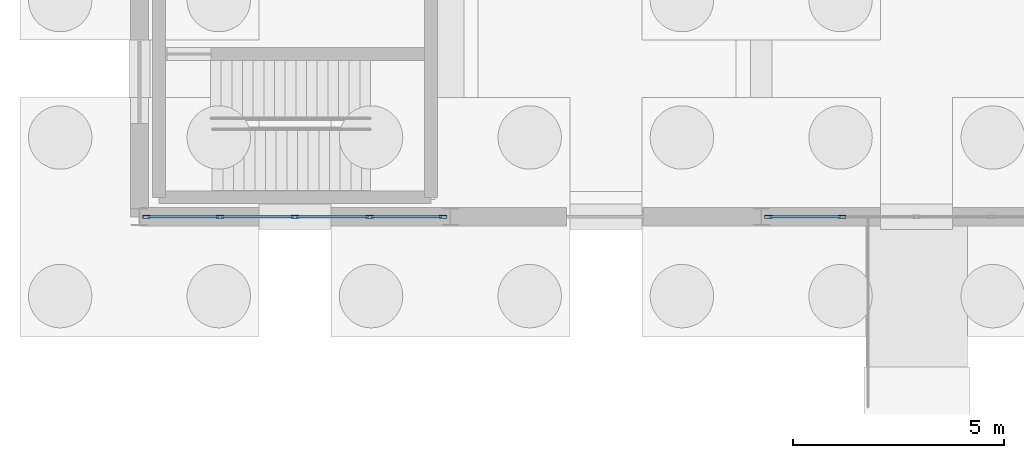
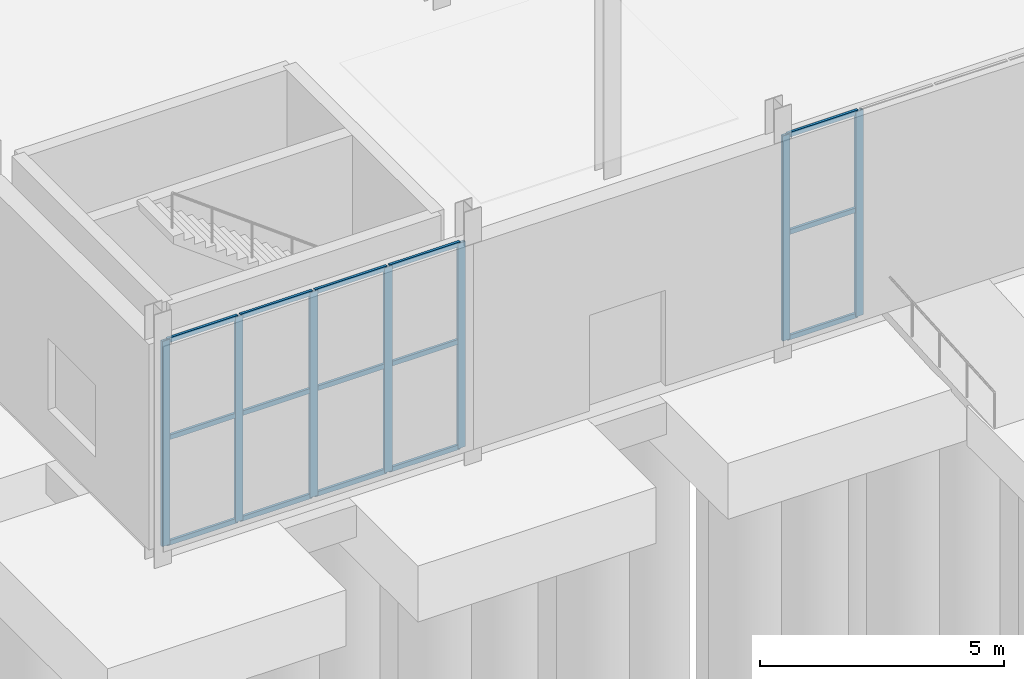
# One storey, part 53 of 139: 22 members, 2 elements without a shape of their own.
"""IFC4 building model written with IfcOpenShell, lengths in metres."""

from ifc_helpers import new_model, si_unit, direction, frame, origin, origin_2d, place, context, subcontext, project, spatial, hollow_rectangle, extrude, material, material_profile, profile_set, type_object, element, aggregate, save


model = new_model("IFC4")

# Units and contexts
model_context = context("Model", 3, precision=1e-05, world=origin(), true_north=direction((0.0, 1.0)))
body_context = subcontext(model_context, "Body", "Model", "MODEL_VIEW")
ifc_project = project(units=[si_unit("LENGTHUNIT", "METRE"), si_unit("AREAUNIT", "SQUARE_METRE"), si_unit("VOLUMEUNIT", "CUBIC_METRE"), si_unit("PLANEANGLEUNIT", "RADIAN"), si_unit("MASSUNIT", "GRAM", prefix="KILO")], contexts=[model_context])

# Site, building, storey
site_placement = place(None, origin())
site = spatial("IfcSite", under=ifc_project, at=site_placement, CompositionType="ELEMENT")
building_placement = place(site_placement, origin())
building = spatial("IfcBuilding", under=site, at=building_placement, Name="Kazenagashi Tramway Depot", CompositionType="ELEMENT")
storey_placement = place(building_placement, origin())
storey = spatial("IfcBuildingStorey", under=building, at=storey_placement, Name="L01", CompositionType="ELEMENT", Elevation=0.0)

# Curtain wall, members
ifc_material_1 = material(Name="Anodised Aluminium and Low-E Glazing", Category="aluminium")
curtain_wall_type = type_object("IfcCurtainWallType", Name="CW-24", PredefinedType="USERDEFINED", material=ifc_material_1)
curtain_wall_1_placement = place(storey_placement, origin())
curtain_wall_1 = element("IfcCurtainWall", 1, at=curtain_wall_1_placement, inside=storey, type_object=curtain_wall_type, Name="Industrial Glazed Screen CW-24 CW-0134", ObjectType="GLAZED SCREEN", PredefinedType="USERDEFINED")
ifc_material_2 = material(Name="Anodised Aluminium", Category="aluminium")
ifc_material_profile_1 = material_profile(ifc_material_2, hollow_rectangle(XDim=0.07, YDim=0.18, WallThickness=0.005, at=origin_2d()), Name="RHS-180x70x5")
ifc_profile_set_1 = profile_set([ifc_material_profile_1], Name="Anodised Aluminium")
member_type_1 = type_object("IfcMemberType", Name="ML-02", PredefinedType="MULLION", material=ifc_profile_set_1)
member_1_placement = place(storey_placement, frame((0.17, 0.0, 0.0), z_axis=(0.0, 0.0, 1.0), x_axis=(0.0, 1.0, 0.0)))
member_1 = element("IfcMember", 2, at=member_1_placement, type_object=member_type_1, Name="CW-24 mullion 1", PredefinedType="MULLION", context=body_context, shape_type="SweptSolid", body=[
    extrude(hollow_rectangle(XDim=0.07, YDim=0.18, WallThickness=0.005, at=origin_2d()), origin(), (0.0, 0.0, 1.0), 5.14),
])
member_2_placement = place(storey_placement, frame((1.9075, 0.0, 0.0), z_axis=(0.0, 0.0, 1.0), x_axis=(0.0, 1.0, 0.0)))
member_2 = element("IfcMember", 3, at=member_2_placement, type_object=member_type_1, Name="CW-24 mullion 2", PredefinedType="MULLION", context=body_context, shape_type="SweptSolid", body=[
    extrude(hollow_rectangle(XDim=0.07, YDim=0.18, WallThickness=0.005, at=origin_2d()), origin(), (0.0, 0.0, 1.0), 5.14),
])
member_3_placement = place(storey_placement, frame((3.675, 0.0, 0.0), z_axis=(0.0, 0.0, 1.0), x_axis=(0.0, 1.0, 0.0)))
member_3 = element("IfcMember", 4, at=member_3_placement, type_object=member_type_1, Name="CW-24 mullion 3", PredefinedType="MULLION", context=body_context, shape_type="SweptSolid", body=[
    extrude(hollow_rectangle(XDim=0.07, YDim=0.18, WallThickness=0.005, at=origin_2d()), origin(), (0.0, 0.0, 1.0), 5.14),
])
member_4_placement = place(storey_placement, frame((5.4425, 0.0, 0.0), z_axis=(0.0, 0.0, 1.0), x_axis=(0.0, 1.0, 0.0)))
member_4 = element("IfcMember", 5, at=member_4_placement, type_object=member_type_1, Name="CW-24 mullion 4", PredefinedType="MULLION", context=body_context, shape_type="SweptSolid", body=[
    extrude(hollow_rectangle(XDim=0.07, YDim=0.18, WallThickness=0.005, at=origin_2d()), origin(), (0.0, 0.0, 1.0), 5.14),
])
member_5_placement = place(storey_placement, frame((7.18, 0.0, 0.0), z_axis=(0.0, 0.0, 1.0), x_axis=(0.0, 1.0, 0.0)))
member_5 = element("IfcMember", 6, at=member_5_placement, type_object=member_type_1, Name="CW-24 mullion 5", PredefinedType="MULLION", context=body_context, shape_type="SweptSolid", body=[
    extrude(hollow_rectangle(XDim=0.07, YDim=0.18, WallThickness=0.005, at=origin_2d()), origin(), (0.0, 0.0, 1.0), 5.14),
])

curtain_wall_2_placement = place(storey_placement, origin())
curtain_wall_2 = element("IfcCurtainWall", 7, at=curtain_wall_2_placement, inside=storey, type_object=curtain_wall_type, Name="Industrial Glazed Screen CW-24 CW-0137", ObjectType="GLAZED SCREEN", PredefinedType="USERDEFINED")
member_6_placement = place(storey_placement, frame((14.87, 0.0, 0.0), z_axis=(0.0, 0.0, 1.0), x_axis=(0.0, 1.0, 0.0)))
member_6 = element("IfcMember", 8, at=member_6_placement, type_object=member_type_1, Name="CW-24 mullion 1", PredefinedType="MULLION", context=body_context, shape_type="SweptSolid", body=[
    extrude(hollow_rectangle(XDim=0.07, YDim=0.18, WallThickness=0.005, at=origin_2d()), origin(), (0.0, 0.0, 1.0), 5.14),
])
member_7_placement = place(storey_placement, frame((16.6075, 0.0, 0.0), z_axis=(0.0, 0.0, 1.0), x_axis=(0.0, 1.0, 0.0)))
member_7 = element("IfcMember", 9, at=member_7_placement, type_object=member_type_1, Name="CW-24 mullion 2", PredefinedType="MULLION", context=body_context, shape_type="SweptSolid", body=[
    extrude(hollow_rectangle(XDim=0.07, YDim=0.18, WallThickness=0.005, at=origin_2d()), origin(), (0.0, 0.0, 1.0), 5.14),
])

# Member
ifc_material_profile_2 = material_profile(ifc_material_2, hollow_rectangle(XDim=0.06, YDim=0.12, WallThickness=0.004, at=origin_2d()), Name="RHS-120x60x4")
ifc_profile_set_2 = profile_set([ifc_material_profile_2], Name="Anodised Aluminium")
member_type_2 = type_object("IfcMemberType", Name="TR-01", PredefinedType="USERDEFINED", material=ifc_profile_set_2)
member_8_placement = place(storey_placement, frame((0.2, 0.0, 0.03), z_axis=(1.0, 0.0, 0.0), x_axis=(0.0, 1.0, 0.0)))
member_8 = element("IfcMember", 10, at=member_8_placement, type_object=member_type_2, Name="CW-24 transom 1.1", ObjectType="TRANSOM", PredefinedType="USERDEFINED", context=body_context, shape_type="SweptSolid", body=[
    extrude(hollow_rectangle(XDim=0.06, YDim=0.12, WallThickness=0.004, at=origin_2d()), origin(), (0.0, 0.0, 1.0), 1.6775),
])

member_9_placement = place(storey_placement, frame((0.2, 0.0, 2.673), z_axis=(1.0, 0.0, 0.0), x_axis=(0.0, 1.0, 0.0)))
member_9 = element("IfcMember", 11, at=member_9_placement, type_object=member_type_2, Name="CW-24 transom 1.2", ObjectType="TRANSOM", PredefinedType="USERDEFINED", context=body_context, shape_type="SweptSolid", body=[
    extrude(hollow_rectangle(XDim=0.06, YDim=0.12, WallThickness=0.004, at=origin_2d()), origin(), (0.0, 0.0, 1.0), 1.6775),
])

member_10_placement = place(storey_placement, frame((0.2, 0.0, 5.11), z_axis=(1.0, 0.0, 0.0), x_axis=(0.0, 1.0, 0.0)))
member_10 = element("IfcMember", 12, at=member_10_placement, type_object=member_type_2, Name="CW-24 transom 1.3", ObjectType="TRANSOM", PredefinedType="USERDEFINED", context=body_context, shape_type="SweptSolid", body=[
    extrude(hollow_rectangle(XDim=0.06, YDim=0.12, WallThickness=0.004, at=origin_2d()), origin(), (0.0, 0.0, 1.0), 1.6775),
])

member_11_placement = place(storey_placement, frame((1.9375, 0.0, 0.03), z_axis=(1.0, 0.0, 0.0), x_axis=(0.0, 1.0, 0.0)))
member_11 = element("IfcMember", 13, at=member_11_placement, type_object=member_type_2, Name="CW-24 transom 2.1", ObjectType="TRANSOM", PredefinedType="USERDEFINED", context=body_context, shape_type="SweptSolid", body=[
    extrude(hollow_rectangle(XDim=0.06, YDim=0.12, WallThickness=0.004, at=origin_2d()), origin(), (0.0, 0.0, 1.0), 1.7075),
])

member_12_placement = place(storey_placement, frame((1.9375, 0.0, 2.673), z_axis=(1.0, 0.0, 0.0), x_axis=(0.0, 1.0, 0.0)))
member_12 = element("IfcMember", 14, at=member_12_placement, type_object=member_type_2, Name="CW-24 transom 2.2", ObjectType="TRANSOM", PredefinedType="USERDEFINED", context=body_context, shape_type="SweptSolid", body=[
    extrude(hollow_rectangle(XDim=0.06, YDim=0.12, WallThickness=0.004, at=origin_2d()), origin(), (0.0, 0.0, 1.0), 1.7075),
])

member_13_placement = place(storey_placement, frame((1.9375, 0.0, 5.11), z_axis=(1.0, 0.0, 0.0), x_axis=(0.0, 1.0, 0.0)))
member_13 = element("IfcMember", 15, at=member_13_placement, type_object=member_type_2, Name="CW-24 transom 2.3", ObjectType="TRANSOM", PredefinedType="USERDEFINED", context=body_context, shape_type="SweptSolid", body=[
    extrude(hollow_rectangle(XDim=0.06, YDim=0.12, WallThickness=0.004, at=origin_2d()), origin(), (0.0, 0.0, 1.0), 1.7075),
])

member_14_placement = place(storey_placement, frame((3.705, 0.0, 0.03), z_axis=(1.0, 0.0, 0.0), x_axis=(0.0, 1.0, 0.0)))
member_14 = element("IfcMember", 16, at=member_14_placement, type_object=member_type_2, Name="CW-24 transom 3.1", ObjectType="TRANSOM", PredefinedType="USERDEFINED", context=body_context, shape_type="SweptSolid", body=[
    extrude(hollow_rectangle(XDim=0.06, YDim=0.12, WallThickness=0.004, at=origin_2d()), origin(), (0.0, 0.0, 1.0), 1.7075),
])

member_15_placement = place(storey_placement, frame((3.705, 0.0, 2.673), z_axis=(1.0, 0.0, 0.0), x_axis=(0.0, 1.0, 0.0)))
member_15 = element("IfcMember", 17, at=member_15_placement, type_object=member_type_2, Name="CW-24 transom 3.2", ObjectType="TRANSOM", PredefinedType="USERDEFINED", context=body_context, shape_type="SweptSolid", body=[
    extrude(hollow_rectangle(XDim=0.06, YDim=0.12, WallThickness=0.004, at=origin_2d()), origin(), (0.0, 0.0, 1.0), 1.7075),
])

member_16_placement = place(storey_placement, frame((3.705, 0.0, 5.11), z_axis=(1.0, 0.0, 0.0), x_axis=(0.0, 1.0, 0.0)))
member_16 = element("IfcMember", 18, at=member_16_placement, type_object=member_type_2, Name="CW-24 transom 3.3", ObjectType="TRANSOM", PredefinedType="USERDEFINED", context=body_context, shape_type="SweptSolid", body=[
    extrude(hollow_rectangle(XDim=0.06, YDim=0.12, WallThickness=0.004, at=origin_2d()), origin(), (0.0, 0.0, 1.0), 1.7075),
])

member_17_placement = place(storey_placement, frame((5.4725, 0.0, 0.03), z_axis=(1.0, 0.0, 0.0), x_axis=(0.0, 1.0, 0.0)))
member_17 = element("IfcMember", 19, at=member_17_placement, type_object=member_type_2, Name="CW-24 transom 4.1", ObjectType="TRANSOM", PredefinedType="USERDEFINED", context=body_context, shape_type="SweptSolid", body=[
    extrude(hollow_rectangle(XDim=0.06, YDim=0.12, WallThickness=0.004, at=origin_2d()), origin(), (0.0, 0.0, 1.0), 1.6775),
])

member_18_placement = place(storey_placement, frame((5.4725, 0.0, 2.673), z_axis=(1.0, 0.0, 0.0), x_axis=(0.0, 1.0, 0.0)))
member_18 = element("IfcMember", 20, at=member_18_placement, type_object=member_type_2, Name="CW-24 transom 4.2", ObjectType="TRANSOM", PredefinedType="USERDEFINED", context=body_context, shape_type="SweptSolid", body=[
    extrude(hollow_rectangle(XDim=0.06, YDim=0.12, WallThickness=0.004, at=origin_2d()), origin(), (0.0, 0.0, 1.0), 1.6775),
])

member_19_placement = place(storey_placement, frame((5.4725, 0.0, 5.11), z_axis=(1.0, 0.0, 0.0), x_axis=(0.0, 1.0, 0.0)))
member_19 = element("IfcMember", 21, at=member_19_placement, type_object=member_type_2, Name="CW-24 transom 4.3", ObjectType="TRANSOM", PredefinedType="USERDEFINED", context=body_context, shape_type="SweptSolid", body=[
    extrude(hollow_rectangle(XDim=0.06, YDim=0.12, WallThickness=0.004, at=origin_2d()), origin(), (0.0, 0.0, 1.0), 1.6775),
])

aggregate(curtain_wall_1, [member_1, member_2, member_3, member_4, member_5, member_8, member_9, member_10, member_11, member_12, member_13, member_14, member_15, member_16, member_17, member_18, member_19])

member_20_placement = place(storey_placement, frame((14.9, 0.0, 0.03), z_axis=(1.0, 0.0, 0.0), x_axis=(0.0, 1.0, 0.0)))
member_20 = element("IfcMember", 22, at=member_20_placement, type_object=member_type_2, Name="CW-24 transom 1.1", ObjectType="TRANSOM", PredefinedType="USERDEFINED", context=body_context, shape_type="SweptSolid", body=[
    extrude(hollow_rectangle(XDim=0.06, YDim=0.12, WallThickness=0.004, at=origin_2d()), origin(), (0.0, 0.0, 1.0), 1.6775),
])

member_21_placement = place(storey_placement, frame((14.9, 0.0, 2.673), z_axis=(1.0, 0.0, 0.0), x_axis=(0.0, 1.0, 0.0)))
member_21 = element("IfcMember", 23, at=member_21_placement, type_object=member_type_2, Name="CW-24 transom 1.2", ObjectType="TRANSOM", PredefinedType="USERDEFINED", context=body_context, shape_type="SweptSolid", body=[
    extrude(hollow_rectangle(XDim=0.06, YDim=0.12, WallThickness=0.004, at=origin_2d()), origin(), (0.0, 0.0, 1.0), 1.6775),
])

member_22_placement = place(storey_placement, frame((14.9, 0.0, 5.11), z_axis=(1.0, 0.0, 0.0), x_axis=(0.0, 1.0, 0.0)))
member_22 = element("IfcMember", 24, at=member_22_placement, type_object=member_type_2, Name="CW-24 transom 1.3", ObjectType="TRANSOM", PredefinedType="USERDEFINED", context=body_context, shape_type="SweptSolid", body=[
    extrude(hollow_rectangle(XDim=0.06, YDim=0.12, WallThickness=0.004, at=origin_2d()), origin(), (0.0, 0.0, 1.0), 1.6775),
])

aggregate(curtain_wall_2, [member_6, member_7, member_20, member_21, member_22])

save(model, "model.ifc")
